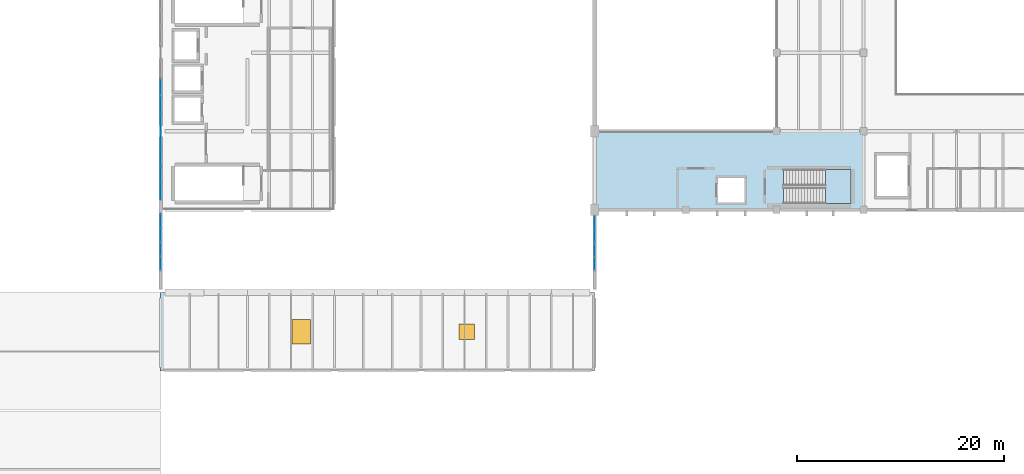
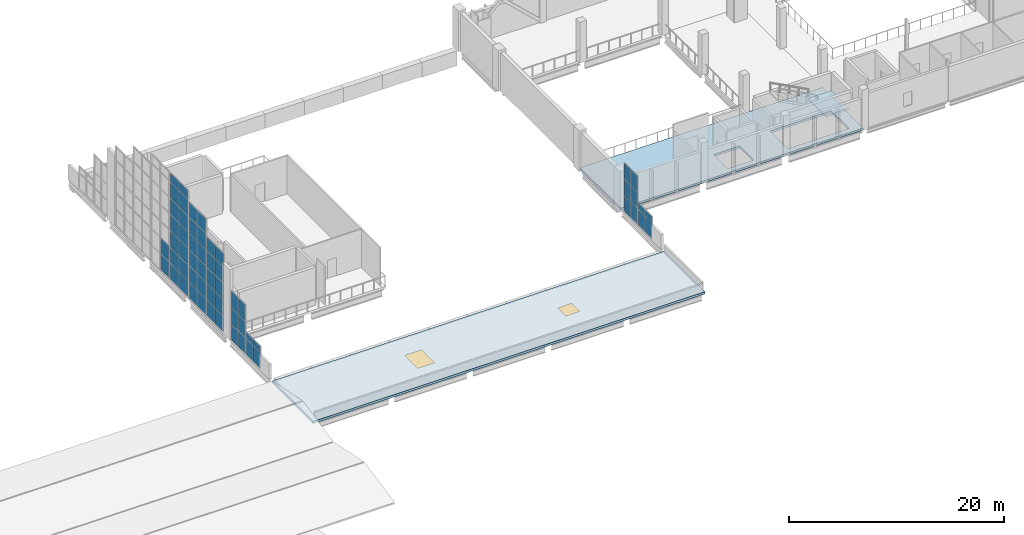
# One storey, part 23 of 37: 58 plates, 3 slabs, 2 windows, 2 openings, 9 elements without a shape of their own.
"""IFC4 building model written with IfcOpenShell, lengths in metres."""

from ifc_helpers import new_model, si_unit, direction, frame, origin, origin_2d, place, context, subcontext, project, spatial, polyline, rectangle, outline, extrude, material, layer, layer_set, type_object, element, fill, aggregate, save


model = new_model("IFC4")

# Units and contexts
model_context = context("Model", 3, precision=1e-05, world=origin(), true_north=direction((0.0, 1.0)))
body_context = subcontext(model_context, "Body", "Model", "MODEL_VIEW")
ifc_project = project(units=[si_unit("LENGTHUNIT", "METRE"), si_unit("AREAUNIT", "SQUARE_METRE"), si_unit("VOLUMEUNIT", "CUBIC_METRE"), si_unit("PLANEANGLEUNIT", "RADIAN"), si_unit("MASSUNIT", "GRAM", prefix="KILO")], contexts=[model_context])

# Site, building, storey
site_placement = place(None, origin())
site = spatial("IfcSite", under=ifc_project, at=site_placement, CompositionType="ELEMENT")
building_placement = place(site_placement, origin())
building = spatial("IfcBuilding", under=site, at=building_placement, Name="Shengluoqiao Park Theatre", CompositionType="ELEMENT")
storey_placement = place(building_placement, frame((0.0, 0.0, 19.199951171875)))
storey = spatial("IfcBuildingStorey", under=building, at=storey_placement, Name="L04", CompositionType="ELEMENT", Elevation=19.199951171875)

# Curtain wall, plates
ifc_material_1 = material(Name="Aluminium 6063-T6", Category="aluminium")
curtain_wall_type = type_object("IfcCurtainWallType", Name="ENV-CW-CLERE", PredefinedType="NOTDEFINED", material=ifc_material_1)
curtain_wall_1_placement = place(storey_placement, origin())
curtain_wall_1 = element("IfcCurtainWall", 1, at=curtain_wall_1_placement, inside=storey, type_object=curtain_wall_type, Name="L04 Curtain Wall CW-L04-GABLE-0220", PredefinedType="NOTDEFINED")
ifc_material_2 = material(Name="Insulated glass", Category="glass")
ifc_layer_1 = layer(ifc_material_2, 0.028076171875, Name="Insulated glass")
ifc_layer_set_1 = layer_set([ifc_layer_1], Name="Insulated glass")
plate_type = type_object("IfcPlateType", Name="ENV-GLZ-GL-28", PredefinedType="CURTAIN_PANEL", material=ifc_layer_set_1)
plate_1_placement = place(storey_placement, frame((44.39990234375, 78.84130859375, 0.065185546875), z_axis=(0.0, 0.0, 1.0), x_axis=(0.0, 1.0, 0.0)))
plate_1 = element("IfcPlate", 2, at=plate_1_placement, type_object=plate_type, Name="CW-06 panel 1.1", PredefinedType="CURTAIN_PANEL", context=body_context, shape_type="SweptSolid", body=[
    extrude(rectangle(XDim=1.2724609375, YDim=0.028076171875, at=origin_2d()), origin(), (0.0, 0.0, 1.0), 1.75244140625),
])
plate_2_placement = place(storey_placement, frame((44.39990234375, 78.84130859375, 1.882568359375), z_axis=(0.0, 0.0, 1.0), x_axis=(0.0, 1.0, 0.0)))
plate_2 = element("IfcPlate", 3, at=plate_2_placement, type_object=plate_type, Name="CW-06 panel 1.2", PredefinedType="CURTAIN_PANEL", context=body_context, shape_type="SweptSolid", body=[
    extrude(rectangle(XDim=1.2724609375, YDim=0.028076171875, at=origin_2d()), origin(), (0.0, 0.0, 1.0), 0.69091796875),
])
plate_3_placement = place(storey_placement, frame((44.39990234375, 80.1787109375, 0.065185546875), z_axis=(0.0, 0.0, 1.0), x_axis=(0.0, 1.0, 0.0)))
plate_3 = element("IfcPlate", 4, at=plate_3_placement, type_object=plate_type, Name="CW-06 panel 2.1", PredefinedType="CURTAIN_PANEL", context=body_context, shape_type="SweptSolid", body=[
    extrude(rectangle(XDim=1.2724609375, YDim=0.028076171875, at=origin_2d()), origin(), (0.0, 0.0, 1.0), 1.75244140625),
])
plate_4_placement = place(storey_placement, frame((44.39990234375, 80.1787109375, 1.882568359375), z_axis=(0.0, 0.0, 1.0), x_axis=(0.0, 1.0, 0.0)))
plate_4 = element("IfcPlate", 5, at=plate_4_placement, type_object=plate_type, Name="CW-06 panel 2.2", PredefinedType="CURTAIN_PANEL", context=body_context, shape_type="SweptSolid", body=[
    extrude(rectangle(XDim=1.2724609375, YDim=0.028076171875, at=origin_2d()), origin(), (0.0, 0.0, 1.0), 0.69091796875),
])
aggregate(curtain_wall_1, [plate_1, plate_2, plate_3, plate_4])

curtain_wall_2_placement = place(storey_placement, origin())
curtain_wall_2 = element("IfcCurtainWall", 6, at=curtain_wall_2_placement, inside=storey, type_object=curtain_wall_type, Name="L04 Curtain Wall CW-L04-GABLE-0221", PredefinedType="NOTDEFINED")
plate_5_placement = place(storey_placement, frame((44.39990234375, 81.63623046875, 0.065185546875), z_axis=(0.0, 0.0, 1.0), x_axis=(0.0, 1.0, 0.0)))
plate_5 = element("IfcPlate", 7, at=plate_5_placement, type_object=plate_type, Name="CW-06 panel 1.1", PredefinedType="CURTAIN_PANEL", context=body_context, shape_type="SweptSolid", body=[
    extrude(rectangle(XDim=1.262451171875, YDim=0.028076171875, at=origin_2d()), origin(), (0.0, 0.0, 1.0), 1.75244140625),
])
plate_6_placement = place(storey_placement, frame((44.39990234375, 81.63623046875, 1.8828125), z_axis=(0.0, 0.0, 1.0), x_axis=(0.0, 1.0, 0.0)))
plate_6 = element("IfcPlate", 8, at=plate_6_placement, type_object=plate_type, Name="CW-06 panel 1.2", PredefinedType="CURTAIN_PANEL", context=body_context, shape_type="SweptSolid", body=[
    extrude(rectangle(XDim=1.262451171875, YDim=0.028076171875, at=origin_2d()), origin(), (0.0, 0.0, 1.0), 1.784912109375),
])
plate_7_placement = place(storey_placement, frame((44.39990234375, 81.63623046875, 3.732421875), z_axis=(0.0, 0.0, 1.0), x_axis=(0.0, 1.0, 0.0)))
plate_7 = element("IfcPlate", 9, at=plate_7_placement, type_object=plate_type, Name="CW-06 panel 1.3", PredefinedType="CURTAIN_PANEL", context=body_context, shape_type="SweptSolid", body=[
    extrude(rectangle(XDim=1.262451171875, YDim=0.028076171875, at=origin_2d()), origin(), (0.0, 0.0, 1.0), 1.86279296875),
])
plate_8_placement = place(storey_placement, frame((44.39990234375, 82.9638671875, 0.065185546875), z_axis=(0.0, 0.0, 1.0), x_axis=(0.0, 1.0, 0.0)))
plate_8 = element("IfcPlate", 10, at=plate_8_placement, type_object=plate_type, Name="CW-06 panel 2.1", PredefinedType="CURTAIN_PANEL", context=body_context, shape_type="SweptSolid", body=[
    extrude(rectangle(XDim=1.262451171875, YDim=0.028076171875, at=origin_2d()), origin(), (0.0, 0.0, 1.0), 1.75244140625),
])
plate_9_placement = place(storey_placement, frame((44.39990234375, 82.9638671875, 1.8828125), z_axis=(0.0, 0.0, 1.0), x_axis=(0.0, 1.0, 0.0)))
plate_9 = element("IfcPlate", 11, at=plate_9_placement, type_object=plate_type, Name="CW-06 panel 2.2", PredefinedType="CURTAIN_PANEL", context=body_context, shape_type="SweptSolid", body=[
    extrude(rectangle(XDim=1.262451171875, YDim=0.028076171875, at=origin_2d()), origin(), (0.0, 0.0, 1.0), 1.784912109375),
])
plate_10_placement = place(storey_placement, frame((44.39990234375, 82.9638671875, 3.732421875), z_axis=(0.0, 0.0, 1.0), x_axis=(0.0, 1.0, 0.0)))
plate_10 = element("IfcPlate", 12, at=plate_10_placement, type_object=plate_type, Name="CW-06 panel 2.3", PredefinedType="CURTAIN_PANEL", context=body_context, shape_type="SweptSolid", body=[
    extrude(rectangle(XDim=1.262451171875, YDim=0.028076171875, at=origin_2d()), origin(), (0.0, 0.0, 1.0), 1.86279296875),
])
aggregate(curtain_wall_2, [plate_5, plate_6, plate_7, plate_8, plate_9, plate_10])

curtain_wall_3_placement = place(storey_placement, origin())
curtain_wall_3 = element("IfcCurtainWall", 13, at=curtain_wall_3_placement, inside=storey, type_object=curtain_wall_type, Name="L04 Curtain Wall CW-L04-GABLE-0222", PredefinedType="NOTDEFINED")
plate_11_placement = place(storey_placement, frame((44.39990234375, 85.771240234375, 0.065185546875), z_axis=(0.0, 0.0, 1.0), x_axis=(0.0, 1.0, 0.0)))
plate_11 = element("IfcPlate", 14, at=plate_11_placement, type_object=plate_type, Name="CW-06 panel 1.1", PredefinedType="CURTAIN_PANEL", context=body_context, shape_type="SweptSolid", body=[
    extrude(rectangle(XDim=1.532470703125, YDim=0.028076171875, at=origin_2d()), origin(), (0.0, 0.0, 1.0), 1.75244140625),
])
plate_12_placement = place(storey_placement, frame((44.39990234375, 85.771240234375, 1.8828125), z_axis=(0.0, 0.0, 1.0), x_axis=(0.0, 1.0, 0.0)))
plate_12 = element("IfcPlate", 15, at=plate_12_placement, type_object=plate_type, Name="CW-06 panel 1.2", PredefinedType="CURTAIN_PANEL", context=body_context, shape_type="SweptSolid", body=[
    extrude(rectangle(XDim=1.532470703125, YDim=0.028076171875, at=origin_2d()), origin(), (0.0, 0.0, 1.0), 1.784912109375),
])
plate_13_placement = place(storey_placement, frame((44.39990234375, 85.771240234375, 3.732421875), z_axis=(0.0, 0.0, 1.0), x_axis=(0.0, 1.0, 0.0)))
plate_13 = element("IfcPlate", 16, at=plate_13_placement, type_object=plate_type, Name="CW-06 panel 1.3", PredefinedType="CURTAIN_PANEL", context=body_context, shape_type="SweptSolid", body=[
    extrude(rectangle(XDim=1.532470703125, YDim=0.028076171875, at=origin_2d()), origin(), (0.0, 0.0, 1.0), 1.784912109375),
])
plate_14_placement = place(storey_placement, frame((44.39990234375, 85.771240234375, 5.58251953125), z_axis=(0.0, 0.0, 1.0), x_axis=(0.0, 1.0, 0.0)))
plate_14 = element("IfcPlate", 17, at=plate_14_placement, type_object=plate_type, Name="CW-06 panel 1.4", PredefinedType="CURTAIN_PANEL", context=body_context, shape_type="SweptSolid", body=[
    extrude(rectangle(XDim=1.532470703125, YDim=0.028076171875, at=origin_2d()), origin(), (0.0, 0.0, 1.0), 1.784912109375),
])
plate_15_placement = place(storey_placement, frame((44.39990234375, 85.771240234375, 7.4326171875), z_axis=(0.0, 0.0, 1.0), x_axis=(0.0, 1.0, 0.0)))
plate_15 = element("IfcPlate", 18, at=plate_15_placement, type_object=plate_type, Name="CW-06 panel 1.5", PredefinedType="CURTAIN_PANEL", context=body_context, shape_type="SweptSolid", body=[
    extrude(rectangle(XDim=1.532470703125, YDim=0.028076171875, at=origin_2d()), origin(), (0.0, 0.0, 1.0), 1.5302734375),
])
plate_16_placement = place(storey_placement, frame((44.39990234375, 87.36865234375, 0.065185546875), z_axis=(0.0, 0.0, 1.0), x_axis=(0.0, 1.0, 0.0)))
plate_16 = element("IfcPlate", 19, at=plate_16_placement, type_object=plate_type, Name="CW-06 panel 2.1", PredefinedType="CURTAIN_PANEL", context=body_context, shape_type="SweptSolid", body=[
    extrude(rectangle(XDim=1.532470703125, YDim=0.028076171875, at=origin_2d()), origin(), (0.0, 0.0, 1.0), 1.75244140625),
])
plate_17_placement = place(storey_placement, frame((44.39990234375, 87.36865234375, 1.8828125), z_axis=(0.0, 0.0, 1.0), x_axis=(0.0, 1.0, 0.0)))
plate_17 = element("IfcPlate", 20, at=plate_17_placement, type_object=plate_type, Name="CW-06 panel 2.2", PredefinedType="CURTAIN_PANEL", context=body_context, shape_type="SweptSolid", body=[
    extrude(rectangle(XDim=1.532470703125, YDim=0.028076171875, at=origin_2d()), origin(), (0.0, 0.0, 1.0), 1.784912109375),
])
plate_18_placement = place(storey_placement, frame((44.39990234375, 87.36865234375, 3.732421875), z_axis=(0.0, 0.0, 1.0), x_axis=(0.0, 1.0, 0.0)))
plate_18 = element("IfcPlate", 21, at=plate_18_placement, type_object=plate_type, Name="CW-06 panel 2.3", PredefinedType="CURTAIN_PANEL", context=body_context, shape_type="SweptSolid", body=[
    extrude(rectangle(XDim=1.532470703125, YDim=0.028076171875, at=origin_2d()), origin(), (0.0, 0.0, 1.0), 1.784912109375),
])
plate_19_placement = place(storey_placement, frame((44.39990234375, 87.36865234375, 5.58251953125), z_axis=(0.0, 0.0, 1.0), x_axis=(0.0, 1.0, 0.0)))
plate_19 = element("IfcPlate", 22, at=plate_19_placement, type_object=plate_type, Name="CW-06 panel 2.4", PredefinedType="CURTAIN_PANEL", context=body_context, shape_type="SweptSolid", body=[
    extrude(rectangle(XDim=1.532470703125, YDim=0.028076171875, at=origin_2d()), origin(), (0.0, 0.0, 1.0), 1.784912109375),
])
plate_20_placement = place(storey_placement, frame((44.39990234375, 87.36865234375, 7.4326171875), z_axis=(0.0, 0.0, 1.0), x_axis=(0.0, 1.0, 0.0)))
plate_20 = element("IfcPlate", 23, at=plate_20_placement, type_object=plate_type, Name="CW-06 panel 2.5", PredefinedType="CURTAIN_PANEL", context=body_context, shape_type="SweptSolid", body=[
    extrude(rectangle(XDim=1.532470703125, YDim=0.028076171875, at=origin_2d()), origin(), (0.0, 0.0, 1.0), 1.5302734375),
])
aggregate(curtain_wall_3, [plate_11, plate_12, plate_13, plate_14, plate_15, plate_16, plate_17, plate_18, plate_19, plate_20])

curtain_wall_4_placement = place(storey_placement, origin())
curtain_wall_4 = element("IfcCurtainWall", 24, at=curtain_wall_4_placement, inside=storey, type_object=curtain_wall_type, Name="L04 Curtain Wall CW-L04-GABLE-0223", PredefinedType="NOTDEFINED")
plate_21_placement = place(storey_placement, frame((44.39990234375, 89.086181640625, 0.065185546875), z_axis=(0.0, 0.0, 1.0), x_axis=(0.0, 1.0, 0.0)))
plate_21 = element("IfcPlate", 25, at=plate_21_placement, type_object=plate_type, Name="CW-06 panel 1.1", PredefinedType="CURTAIN_PANEL", context=body_context, shape_type="SweptSolid", body=[
    extrude(rectangle(XDim=1.5224609375, YDim=0.028076171875, at=origin_2d()), origin(), (0.0, 0.0, 1.0), 1.75244140625),
])
plate_22_placement = place(storey_placement, frame((44.39990234375, 89.086181640625, 1.8828125), z_axis=(0.0, 0.0, 1.0), x_axis=(0.0, 1.0, 0.0)))
plate_22 = element("IfcPlate", 26, at=plate_22_placement, type_object=plate_type, Name="CW-06 panel 1.2", PredefinedType="CURTAIN_PANEL", context=body_context, shape_type="SweptSolid", body=[
    extrude(rectangle(XDim=1.5224609375, YDim=0.028076171875, at=origin_2d()), origin(), (0.0, 0.0, 1.0), 1.784912109375),
])
plate_23_placement = place(storey_placement, frame((44.39990234375, 89.086181640625, 3.732421875), z_axis=(0.0, 0.0, 1.0), x_axis=(0.0, 1.0, 0.0)))
plate_23 = element("IfcPlate", 27, at=plate_23_placement, type_object=plate_type, Name="CW-06 panel 1.3", PredefinedType="CURTAIN_PANEL", context=body_context, shape_type="SweptSolid", body=[
    extrude(rectangle(XDim=1.5224609375, YDim=0.028076171875, at=origin_2d()), origin(), (0.0, 0.0, 1.0), 1.784912109375),
])
plate_24_placement = place(storey_placement, frame((44.39990234375, 89.086181640625, 5.58251953125), z_axis=(0.0, 0.0, 1.0), x_axis=(0.0, 1.0, 0.0)))
plate_24 = element("IfcPlate", 28, at=plate_24_placement, type_object=plate_type, Name="CW-06 panel 1.4", PredefinedType="CURTAIN_PANEL", context=body_context, shape_type="SweptSolid", body=[
    extrude(rectangle(XDim=1.5224609375, YDim=0.028076171875, at=origin_2d()), origin(), (0.0, 0.0, 1.0), 1.784912109375),
])
plate_25_placement = place(storey_placement, frame((44.39990234375, 89.086181640625, 7.4326171875), z_axis=(0.0, 0.0, 1.0), x_axis=(0.0, 1.0, 0.0)))
plate_25 = element("IfcPlate", 29, at=plate_25_placement, type_object=plate_type, Name="CW-06 panel 1.5", PredefinedType="CURTAIN_PANEL", context=body_context, shape_type="SweptSolid", body=[
    extrude(rectangle(XDim=1.5224609375, YDim=0.028076171875, at=origin_2d()), origin(), (0.0, 0.0, 1.0), 1.784912109375),
])
plate_26_placement = place(storey_placement, frame((44.39990234375, 89.086181640625, 9.282470703125), z_axis=(0.0, 0.0, 1.0), x_axis=(0.0, 1.0, 0.0)))
plate_26 = element("IfcPlate", 30, at=plate_26_placement, type_object=plate_type, Name="CW-06 panel 1.6", PredefinedType="CURTAIN_PANEL", context=body_context, shape_type="SweptSolid", body=[
    extrude(rectangle(XDim=1.5224609375, YDim=0.028076171875, at=origin_2d()), origin(), (0.0, 0.0, 1.0), 1.626953125),
])
plate_27_placement = place(storey_placement, frame((44.39990234375, 90.673828125, 0.065185546875), z_axis=(0.0, 0.0, 1.0), x_axis=(0.0, 1.0, 0.0)))
plate_27 = element("IfcPlate", 31, at=plate_27_placement, type_object=plate_type, Name="CW-06 panel 2.1", PredefinedType="CURTAIN_PANEL", context=body_context, shape_type="SweptSolid", body=[
    extrude(rectangle(XDim=1.5224609375, YDim=0.028076171875, at=origin_2d()), origin(), (0.0, 0.0, 1.0), 1.75244140625),
])
plate_28_placement = place(storey_placement, frame((44.39990234375, 90.673828125, 1.8828125), z_axis=(0.0, 0.0, 1.0), x_axis=(0.0, 1.0, 0.0)))
plate_28 = element("IfcPlate", 32, at=plate_28_placement, type_object=plate_type, Name="CW-06 panel 2.2", PredefinedType="CURTAIN_PANEL", context=body_context, shape_type="SweptSolid", body=[
    extrude(rectangle(XDim=1.5224609375, YDim=0.028076171875, at=origin_2d()), origin(), (0.0, 0.0, 1.0), 1.784912109375),
])
plate_29_placement = place(storey_placement, frame((44.39990234375, 90.673828125, 3.732421875), z_axis=(0.0, 0.0, 1.0), x_axis=(0.0, 1.0, 0.0)))
plate_29 = element("IfcPlate", 33, at=plate_29_placement, type_object=plate_type, Name="CW-06 panel 2.3", PredefinedType="CURTAIN_PANEL", context=body_context, shape_type="SweptSolid", body=[
    extrude(rectangle(XDim=1.5224609375, YDim=0.028076171875, at=origin_2d()), origin(), (0.0, 0.0, 1.0), 1.784912109375),
])
plate_30_placement = place(storey_placement, frame((44.39990234375, 90.673828125, 5.58251953125), z_axis=(0.0, 0.0, 1.0), x_axis=(0.0, 1.0, 0.0)))
plate_30 = element("IfcPlate", 34, at=plate_30_placement, type_object=plate_type, Name="CW-06 panel 2.4", PredefinedType="CURTAIN_PANEL", context=body_context, shape_type="SweptSolid", body=[
    extrude(rectangle(XDim=1.5224609375, YDim=0.028076171875, at=origin_2d()), origin(), (0.0, 0.0, 1.0), 1.784912109375),
])
plate_31_placement = place(storey_placement, frame((44.39990234375, 90.673828125, 7.4326171875), z_axis=(0.0, 0.0, 1.0), x_axis=(0.0, 1.0, 0.0)))
plate_31 = element("IfcPlate", 35, at=plate_31_placement, type_object=plate_type, Name="CW-06 panel 2.5", PredefinedType="CURTAIN_PANEL", context=body_context, shape_type="SweptSolid", body=[
    extrude(rectangle(XDim=1.5224609375, YDim=0.028076171875, at=origin_2d()), origin(), (0.0, 0.0, 1.0), 1.784912109375),
])
plate_32_placement = place(storey_placement, frame((44.39990234375, 90.673828125, 9.282470703125), z_axis=(0.0, 0.0, 1.0), x_axis=(0.0, 1.0, 0.0)))
plate_32 = element("IfcPlate", 36, at=plate_32_placement, type_object=plate_type, Name="CW-06 panel 2.6", PredefinedType="CURTAIN_PANEL", context=body_context, shape_type="SweptSolid", body=[
    extrude(rectangle(XDim=1.5224609375, YDim=0.028076171875, at=origin_2d()), origin(), (0.0, 0.0, 1.0), 1.626953125),
])
aggregate(curtain_wall_4, [plate_21, plate_22, plate_23, plate_24, plate_25, plate_26, plate_27, plate_28, plate_29, plate_30, plate_31, plate_32])

curtain_wall_5_placement = place(storey_placement, origin())
curtain_wall_5 = element("IfcCurtainWall", 37, at=curtain_wall_5_placement, inside=storey, type_object=curtain_wall_type, Name="L04 Curtain Wall CW-L04-GABLE-0224", PredefinedType="NOTDEFINED")
plate_33_placement = place(storey_placement, frame((44.39990234375, 92.42626953125, 0.065185546875), z_axis=(0.0, 0.0, 1.0), x_axis=(0.0, 1.0, 0.0)))
plate_33 = element("IfcPlate", 38, at=plate_33_placement, type_object=plate_type, Name="CW-06 panel 1.1", PredefinedType="CURTAIN_PANEL", context=body_context, shape_type="SweptSolid", body=[
    extrude(rectangle(XDim=1.6025390625, YDim=0.028076171875, at=origin_2d()), origin(), (0.0, 0.0, 1.0), 1.75244140625),
])
plate_34_placement = place(storey_placement, frame((44.39990234375, 92.42626953125, 1.8828125), z_axis=(0.0, 0.0, 1.0), x_axis=(0.0, 1.0, 0.0)))
plate_34 = element("IfcPlate", 39, at=plate_34_placement, type_object=plate_type, Name="CW-06 panel 1.2", PredefinedType="CURTAIN_PANEL", context=body_context, shape_type="SweptSolid", body=[
    extrude(rectangle(XDim=1.6025390625, YDim=0.028076171875, at=origin_2d()), origin(), (0.0, 0.0, 1.0), 1.784912109375),
])
plate_35_placement = place(storey_placement, frame((44.39990234375, 92.42626953125, 3.732421875), z_axis=(0.0, 0.0, 1.0), x_axis=(0.0, 1.0, 0.0)))
plate_35 = element("IfcPlate", 40, at=plate_35_placement, type_object=plate_type, Name="CW-06 panel 1.3", PredefinedType="CURTAIN_PANEL", context=body_context, shape_type="SweptSolid", body=[
    extrude(rectangle(XDim=1.6025390625, YDim=0.028076171875, at=origin_2d()), origin(), (0.0, 0.0, 1.0), 1.784912109375),
])
plate_36_placement = place(storey_placement, frame((44.39990234375, 92.42626953125, 5.58251953125), z_axis=(0.0, 0.0, 1.0), x_axis=(0.0, 1.0, 0.0)))
plate_36 = element("IfcPlate", 41, at=plate_36_placement, type_object=plate_type, Name="CW-06 panel 1.4", PredefinedType="CURTAIN_PANEL", context=body_context, shape_type="SweptSolid", body=[
    extrude(rectangle(XDim=1.6025390625, YDim=0.028076171875, at=origin_2d()), origin(), (0.0, 0.0, 1.0), 1.784912109375),
])
plate_37_placement = place(storey_placement, frame((44.39990234375, 92.42626953125, 7.4326171875), z_axis=(0.0, 0.0, 1.0), x_axis=(0.0, 1.0, 0.0)))
plate_37 = element("IfcPlate", 42, at=plate_37_placement, type_object=plate_type, Name="CW-06 panel 1.5", PredefinedType="CURTAIN_PANEL", context=body_context, shape_type="SweptSolid", body=[
    extrude(rectangle(XDim=1.6025390625, YDim=0.028076171875, at=origin_2d()), origin(), (0.0, 0.0, 1.0), 1.784912109375),
])
plate_38_placement = place(storey_placement, frame((44.39990234375, 92.42626953125, 9.28271484375), z_axis=(0.0, 0.0, 1.0), x_axis=(0.0, 1.0, 0.0)))
plate_38 = element("IfcPlate", 43, at=plate_38_placement, type_object=plate_type, Name="CW-06 panel 1.6", PredefinedType="CURTAIN_PANEL", context=body_context, shape_type="SweptSolid", body=[
    extrude(rectangle(XDim=1.6025390625, YDim=0.028076171875, at=origin_2d()), origin(), (0.0, 0.0, 1.0), 1.784912109375),
])
plate_39_placement = place(storey_placement, frame((44.39990234375, 92.42626953125, 11.13232421875), z_axis=(0.0, 0.0, 1.0), x_axis=(0.0, 1.0, 0.0)))
plate_39 = element("IfcPlate", 44, at=plate_39_placement, type_object=plate_type, Name="CW-06 panel 1.7", PredefinedType="CURTAIN_PANEL", context=body_context, shape_type="SweptSolid", body=[
    extrude(rectangle(XDim=1.6025390625, YDim=0.028076171875, at=origin_2d()), origin(), (0.0, 0.0, 1.0), 0.949462890625),
])
plate_40_placement = place(storey_placement, frame((44.39990234375, 94.09375, 0.065185546875), z_axis=(0.0, 0.0, 1.0), x_axis=(0.0, 1.0, 0.0)))
plate_40 = element("IfcPlate", 45, at=plate_40_placement, type_object=plate_type, Name="CW-06 panel 2.1", PredefinedType="CURTAIN_PANEL", context=body_context, shape_type="SweptSolid", body=[
    extrude(rectangle(XDim=1.6025390625, YDim=0.028076171875, at=origin_2d()), origin(), (0.0, 0.0, 1.0), 1.75244140625),
])
plate_41_placement = place(storey_placement, frame((44.39990234375, 94.09375, 1.8828125), z_axis=(0.0, 0.0, 1.0), x_axis=(0.0, 1.0, 0.0)))
plate_41 = element("IfcPlate", 46, at=plate_41_placement, type_object=plate_type, Name="CW-06 panel 2.2", PredefinedType="CURTAIN_PANEL", context=body_context, shape_type="SweptSolid", body=[
    extrude(rectangle(XDim=1.6025390625, YDim=0.028076171875, at=origin_2d()), origin(), (0.0, 0.0, 1.0), 1.784912109375),
])
plate_42_placement = place(storey_placement, frame((44.39990234375, 94.09375, 3.732421875), z_axis=(0.0, 0.0, 1.0), x_axis=(0.0, 1.0, 0.0)))
plate_42 = element("IfcPlate", 47, at=plate_42_placement, type_object=plate_type, Name="CW-06 panel 2.3", PredefinedType="CURTAIN_PANEL", context=body_context, shape_type="SweptSolid", body=[
    extrude(rectangle(XDim=1.6025390625, YDim=0.028076171875, at=origin_2d()), origin(), (0.0, 0.0, 1.0), 1.784912109375),
])
plate_43_placement = place(storey_placement, frame((44.39990234375, 94.09375, 5.58251953125), z_axis=(0.0, 0.0, 1.0), x_axis=(0.0, 1.0, 0.0)))
plate_43 = element("IfcPlate", 48, at=plate_43_placement, type_object=plate_type, Name="CW-06 panel 2.4", PredefinedType="CURTAIN_PANEL", context=body_context, shape_type="SweptSolid", body=[
    extrude(rectangle(XDim=1.6025390625, YDim=0.028076171875, at=origin_2d()), origin(), (0.0, 0.0, 1.0), 1.784912109375),
])
plate_44_placement = place(storey_placement, frame((44.39990234375, 94.09375, 7.4326171875), z_axis=(0.0, 0.0, 1.0), x_axis=(0.0, 1.0, 0.0)))
plate_44 = element("IfcPlate", 49, at=plate_44_placement, type_object=plate_type, Name="CW-06 panel 2.5", PredefinedType="CURTAIN_PANEL", context=body_context, shape_type="SweptSolid", body=[
    extrude(rectangle(XDim=1.6025390625, YDim=0.028076171875, at=origin_2d()), origin(), (0.0, 0.0, 1.0), 1.784912109375),
])
plate_45_placement = place(storey_placement, frame((44.39990234375, 94.09375, 9.28271484375), z_axis=(0.0, 0.0, 1.0), x_axis=(0.0, 1.0, 0.0)))
plate_45 = element("IfcPlate", 50, at=plate_45_placement, type_object=plate_type, Name="CW-06 panel 2.6", PredefinedType="CURTAIN_PANEL", context=body_context, shape_type="SweptSolid", body=[
    extrude(rectangle(XDim=1.6025390625, YDim=0.028076171875, at=origin_2d()), origin(), (0.0, 0.0, 1.0), 1.784912109375),
])
plate_46_placement = place(storey_placement, frame((44.39990234375, 94.09375, 11.13232421875), z_axis=(0.0, 0.0, 1.0), x_axis=(0.0, 1.0, 0.0)))
plate_46 = element("IfcPlate", 51, at=plate_46_placement, type_object=plate_type, Name="CW-06 panel 2.7", PredefinedType="CURTAIN_PANEL", context=body_context, shape_type="SweptSolid", body=[
    extrude(rectangle(XDim=1.6025390625, YDim=0.028076171875, at=origin_2d()), origin(), (0.0, 0.0, 1.0), 0.949462890625),
])
aggregate(curtain_wall_5, [plate_33, plate_34, plate_35, plate_36, plate_37, plate_38, plate_39, plate_40, plate_41, plate_42, plate_43, plate_44, plate_45, plate_46])

curtain_wall_6_placement = place(storey_placement, origin())
curtain_wall_6 = element("IfcCurtainWall", 52, at=curtain_wall_6_placement, inside=storey, type_object=curtain_wall_type, Name="L04 Curtain Wall CW-L04-GABLE-0225", PredefinedType="NOTDEFINED")
plate_47_placement = place(storey_placement, frame((44.39990234375, 95.90625, 0.065185546875), z_axis=(0.0, 0.0, 1.0), x_axis=(0.0, 1.0, 0.0)))
plate_47 = element("IfcPlate", 53, at=plate_47_placement, type_object=plate_type, Name="CW-06 panel 1.1", PredefinedType="CURTAIN_PANEL", context=body_context, shape_type="SweptSolid", body=[
    extrude(rectangle(XDim=1.6025390625, YDim=0.028076171875, at=origin_2d()), origin(), (0.0, 0.0, 1.0), 1.75244140625),
])
plate_48_placement = place(storey_placement, frame((44.39990234375, 95.90625, 1.8828125), z_axis=(0.0, 0.0, 1.0), x_axis=(0.0, 1.0, 0.0)))
plate_48 = element("IfcPlate", 54, at=plate_48_placement, type_object=plate_type, Name="CW-06 panel 1.2", PredefinedType="CURTAIN_PANEL", context=body_context, shape_type="SweptSolid", body=[
    extrude(rectangle(XDim=1.6025390625, YDim=0.028076171875, at=origin_2d()), origin(), (0.0, 0.0, 1.0), 1.784912109375),
])
aggregate(curtain_wall_6, [plate_47, plate_48])

curtain_wall_7_placement = place(storey_placement, origin())
curtain_wall_7 = element("IfcCurtainWall", 55, at=curtain_wall_7_placement, inside=storey, type_object=curtain_wall_type, Name="L04 Curtain Wall CW-L04-EGABLE-0230", PredefinedType="NOTDEFINED")
plate_49_placement = place(storey_placement, frame((86.39990234375, 78.826171875, 0.065185546875), z_axis=(0.0, 0.0, 1.0), x_axis=(0.0, 1.0, 0.0)))
plate_49 = element("IfcPlate", 56, at=plate_49_placement, type_object=plate_type, Name="CW-06 panel 1.1", PredefinedType="CURTAIN_PANEL", context=body_context, shape_type="SweptSolid", body=[
    extrude(rectangle(XDim=1.242431640625, YDim=0.028076171875, at=origin_2d()), origin(), (0.0, 0.0, 1.0), 1.75244140625),
])
plate_50_placement = place(storey_placement, frame((86.39990234375, 78.826171875, 1.882568359375), z_axis=(0.0, 0.0, 1.0), x_axis=(0.0, 1.0, 0.0)))
plate_50 = element("IfcPlate", 57, at=plate_50_placement, type_object=plate_type, Name="CW-06 panel 1.2", PredefinedType="CURTAIN_PANEL", context=body_context, shape_type="SweptSolid", body=[
    extrude(rectangle(XDim=1.242431640625, YDim=0.028076171875, at=origin_2d()), origin(), (0.0, 0.0, 1.0), 0.69091796875),
])
plate_51_placement = place(storey_placement, frame((86.39990234375, 80.1337890625, 0.065185546875), z_axis=(0.0, 0.0, 1.0), x_axis=(0.0, 1.0, 0.0)))
plate_51 = element("IfcPlate", 58, at=plate_51_placement, type_object=plate_type, Name="CW-06 panel 2.1", PredefinedType="CURTAIN_PANEL", context=body_context, shape_type="SweptSolid", body=[
    extrude(rectangle(XDim=1.242431640625, YDim=0.028076171875, at=origin_2d()), origin(), (0.0, 0.0, 1.0), 1.75244140625),
])
plate_52_placement = place(storey_placement, frame((86.39990234375, 80.1337890625, 1.882568359375), z_axis=(0.0, 0.0, 1.0), x_axis=(0.0, 1.0, 0.0)))
plate_52 = element("IfcPlate", 59, at=plate_52_placement, type_object=plate_type, Name="CW-06 panel 2.2", PredefinedType="CURTAIN_PANEL", context=body_context, shape_type="SweptSolid", body=[
    extrude(rectangle(XDim=1.242431640625, YDim=0.028076171875, at=origin_2d()), origin(), (0.0, 0.0, 1.0), 0.69091796875),
])
aggregate(curtain_wall_7, [plate_49, plate_50, plate_51, plate_52])

curtain_wall_8_placement = place(storey_placement, origin())
curtain_wall_8 = element("IfcCurtainWall", 60, at=curtain_wall_8_placement, inside=storey, type_object=curtain_wall_type, Name="L04 Curtain Wall CW-L04-EGABLE-0231", PredefinedType="NOTDEFINED")
plate_53_placement = place(storey_placement, frame((86.39990234375, 81.5263671875, 0.065185546875), z_axis=(0.0, 0.0, 1.0), x_axis=(0.0, 1.0, 0.0)))
plate_53 = element("IfcPlate", 61, at=plate_53_placement, type_object=plate_type, Name="CW-06 panel 1.1", PredefinedType="CURTAIN_PANEL", context=body_context, shape_type="SweptSolid", body=[
    extrude(rectangle(XDim=1.16259765625, YDim=0.028076171875, at=origin_2d()), origin(), (0.0, 0.0, 1.0), 1.75244140625),
])
plate_54_placement = place(storey_placement, frame((86.39990234375, 81.5263671875, 1.8828125), z_axis=(0.0, 0.0, 1.0), x_axis=(0.0, 1.0, 0.0)))
plate_54 = element("IfcPlate", 62, at=plate_54_placement, type_object=plate_type, Name="CW-06 panel 1.2", PredefinedType="CURTAIN_PANEL", context=body_context, shape_type="SweptSolid", body=[
    extrude(rectangle(XDim=1.16259765625, YDim=0.028076171875, at=origin_2d()), origin(), (0.0, 0.0, 1.0), 1.784912109375),
])
plate_55_placement = place(storey_placement, frame((86.39990234375, 81.5263671875, 3.732421875), z_axis=(0.0, 0.0, 1.0), x_axis=(0.0, 1.0, 0.0)))
plate_55 = element("IfcPlate", 63, at=plate_55_placement, type_object=plate_type, Name="CW-06 panel 1.3", PredefinedType="CURTAIN_PANEL", context=body_context, shape_type="SweptSolid", body=[
    extrude(rectangle(XDim=1.16259765625, YDim=0.028076171875, at=origin_2d()), origin(), (0.0, 0.0, 1.0), 1.8037109375),
])
plate_56_placement = place(storey_placement, frame((86.39990234375, 82.753662109375, 0.065185546875), z_axis=(0.0, 0.0, 1.0), x_axis=(0.0, 1.0, 0.0)))
plate_56 = element("IfcPlate", 64, at=plate_56_placement, type_object=plate_type, Name="CW-06 panel 2.1", PredefinedType="CURTAIN_PANEL", context=body_context, shape_type="SweptSolid", body=[
    extrude(rectangle(XDim=1.16259765625, YDim=0.028076171875, at=origin_2d()), origin(), (0.0, 0.0, 1.0), 1.75244140625),
])
plate_57_placement = place(storey_placement, frame((86.39990234375, 82.753662109375, 1.8828125), z_axis=(0.0, 0.0, 1.0), x_axis=(0.0, 1.0, 0.0)))
plate_57 = element("IfcPlate", 65, at=plate_57_placement, type_object=plate_type, Name="CW-06 panel 2.2", PredefinedType="CURTAIN_PANEL", context=body_context, shape_type="SweptSolid", body=[
    extrude(rectangle(XDim=1.16259765625, YDim=0.028076171875, at=origin_2d()), origin(), (0.0, 0.0, 1.0), 1.784912109375),
])
plate_58_placement = place(storey_placement, frame((86.39990234375, 82.753662109375, 3.732421875), z_axis=(0.0, 0.0, 1.0), x_axis=(0.0, 1.0, 0.0)))
plate_58 = element("IfcPlate", 66, at=plate_58_placement, type_object=plate_type, Name="CW-06 panel 2.3", PredefinedType="CURTAIN_PANEL", context=body_context, shape_type="SweptSolid", body=[
    extrude(rectangle(XDim=1.16259765625, YDim=0.028076171875, at=origin_2d()), origin(), (0.0, 0.0, 1.0), 1.8037109375),
])
aggregate(curtain_wall_8, [plate_53, plate_54, plate_55, plate_56, plate_57, plate_58])

# Stair, slab
ifc_material_3 = material(Name="Concrete C40", Category="concrete")
stair_type = type_object("IfcStairType", Name="INT-STR-CORE", PredefinedType="HALF_TURN_STAIR", material=ifc_material_3)
stair_placement = place(storey_placement, origin())
stair = element("IfcStair", 67, at=stair_placement, inside=storey, type_object=stair_type, Name="L04 Stage and Fly Tower Escape Stair 05", PredefinedType="HALF_TURN_STAIR")
ifc_layer_2 = layer(ifc_material_3, 0.199951171875, Name="Concrete C40")
ifc_layer_set_2 = layer_set([ifc_layer_2], Name="Concrete C40")
slab_type_1 = type_object("IfcSlabType", Name="INT-LND-SL-200", PredefinedType="LANDING", material=ifc_layer_set_2)
slab_1_placement = place(storey_placement, frame((0.0, 0.0, 2.10009765625)))
slab_1 = element("IfcSlab", 68, at=slab_1_placement, type_object=slab_type_1, Name="ST-05 landing 1", PredefinedType="LANDING", context=body_context, shape_type="SweptSolid", body=[
    extrude(outline(polyline([(108.7099609375, 84.60009765625), (111.199951171875, 84.60009765625), (111.199951171875, 87.89990234375), (108.7099609375, 87.89990234375), (108.7099609375, 84.60009765625)])), origin(), (0.0, 0.0, 1.0), 0.199951171875),
])
aggregate(stair, [slab_1])

# Slab
ifc_material_4 = material(Name="Concrete C35", Category="concrete")
ifc_layer_3 = layer(ifc_material_4, 0.239990234375, Name="Concrete C35")
ifc_layer_set_3 = layer_set([ifc_layer_3], Name="Concrete C35")
slab_type_2 = type_object("IfcSlabType", Name="STR-SLB-FL240", PredefinedType="FLOOR", material=ifc_layer_set_3)
slab_2_placement = place(storey_placement, frame((0.0, 0.0, -0.239990234375)))
element("IfcSlab", 69, at=slab_2_placement, inside=storey, type_object=slab_type_2, Name="Floor Slab L04-V2-FLYS", PredefinedType="FLOOR", context=body_context, shape_type="SweptSolid", body=[
    extrude(outline(polyline([(86.39990234375, 84.0), (86.39990234375, 91.60009765625), (112.39990234375, 91.60009765625), (112.39990234375, 84.0), (86.39990234375, 84.0)]), holes=[polyline([(98.199951171875, 87.199951171875), (98.199951171875, 84.60009765625), (101.0, 84.60009765625), (101.0, 87.199951171875), (98.199951171875, 87.199951171875)]), polyline([(111.199951171875, 84.60009765625), (111.199951171875, 87.89990234375), (104.654052734375, 87.89990234375), (104.654052734375, 84.60009765625), (111.199951171875, 84.60009765625)])]), origin(), (0.0, 0.0, 1.0), 0.239990234375),
])

# Slab, openings, windows
ifc_layer_4 = layer(ifc_material_3, 0.25, Name="Concrete C40")
ifc_layer_set_4 = layer_set([ifc_layer_4], Name="Concrete C40")
slab_type_3 = type_object("IfcSlabType", Name="STR-SLB-RF250", PredefinedType="ROOF", material=ifc_layer_set_4)
slab_3_placement = place(storey_placement, frame((0.0, 0.0, -0.25)))
slab_3 = element("IfcSlab", 70, at=slab_3_placement, inside=storey, type_object=slab_type_3, Name="South Promenade Roof Slab", PredefinedType="ROOF", context=body_context, shape_type="SweptSolid", body=[
    extrude(outline(polyline([(44.39990234375, 68.39990234375), (86.39990234375, 68.39990234375), (86.39990234375, 76.0), (44.39990234375, 76.0), (44.39990234375, 68.39990234375)])), origin(), (0.0, 0.0, 1.0), 0.25),
])
opening_1_placement = place(slab_3_placement, frame((58.0, 72.199951171875, 0.0)))
opening_1 = element("IfcOpeningElement", 71, at=opening_1_placement, cuts=slab_3, Name="Opening SK-02", PredefinedType="OPENING", context=body_context, shape_type="SweptSolid", body=[
    extrude(rectangle(XDim=1.800048828125, YDim=2.39990234375, at=origin_2d()), origin(), (0.0, 0.0, 1.0), 0.25),
])
opening_2_placement = place(slab_3_placement, frame((74.0, 72.199951171875, 0.0)))
opening_2 = element("IfcOpeningElement", 72, at=opening_2_placement, cuts=slab_3, Name="Opening SK-03", PredefinedType="OPENING", context=body_context, shape_type="SweptSolid", body=[
    extrude(rectangle(XDim=1.5, YDim=1.5, at=origin_2d()), origin(), (0.0, 0.0, 1.0), 0.25),
])
window_type_1 = type_object("IfcWindowType", Name="ENV-SKL-S02", PartitioningType="SINGLE_PANEL", PredefinedType="SKYLIGHT", material=ifc_material_2)
window_1_placement = place(opening_1_placement, frame((0.0, 0.0, 0.199951171875)))
window_1 = element("IfcWindow", 73, at=window_1_placement, inside=storey, type_object=window_type_1, Name="L04 Roof Daylight Skylight 04", OverallHeight=2.39990234375, OverallWidth=1.800048828125, PartitioningType="SINGLE_PANEL", PredefinedType="SKYLIGHT", context=body_context, shape_type="SweptSolid", body=[
    extrude(rectangle(XDim=1.800048828125, YDim=2.39990234375, at=origin_2d()), origin(), (0.0, 0.0, 1.0), 0.050048828125),
])
fill(opening_1, window_1)
window_type_2 = type_object("IfcWindowType", Name="ENV-SKL-S03", PartitioningType="SINGLE_PANEL", PredefinedType="SKYLIGHT", material=ifc_material_2)
window_2_placement = place(opening_2_placement, frame((0.0, 0.0, 0.199951171875)))
window_2 = element("IfcWindow", 74, at=window_2_placement, inside=storey, type_object=window_type_2, Name="L04 Roof Daylight Skylight 05", OverallHeight=1.5, OverallWidth=1.5, PartitioningType="SINGLE_PANEL", PredefinedType="SKYLIGHT", context=body_context, shape_type="SweptSolid", body=[
    extrude(rectangle(XDim=1.5, YDim=1.5, at=origin_2d()), origin(), (0.0, 0.0, 1.0), 0.050048828125),
])
fill(opening_2, window_2)

save(model, "model.ifc")
